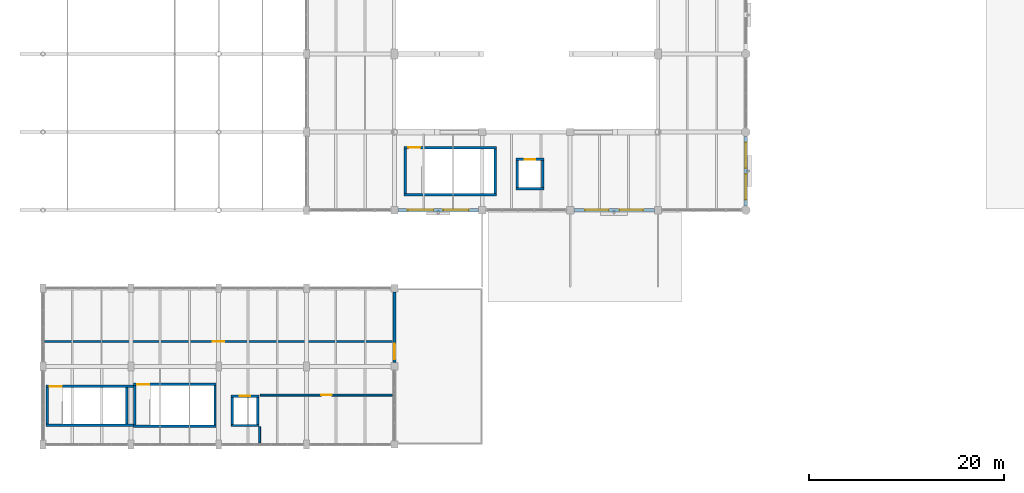
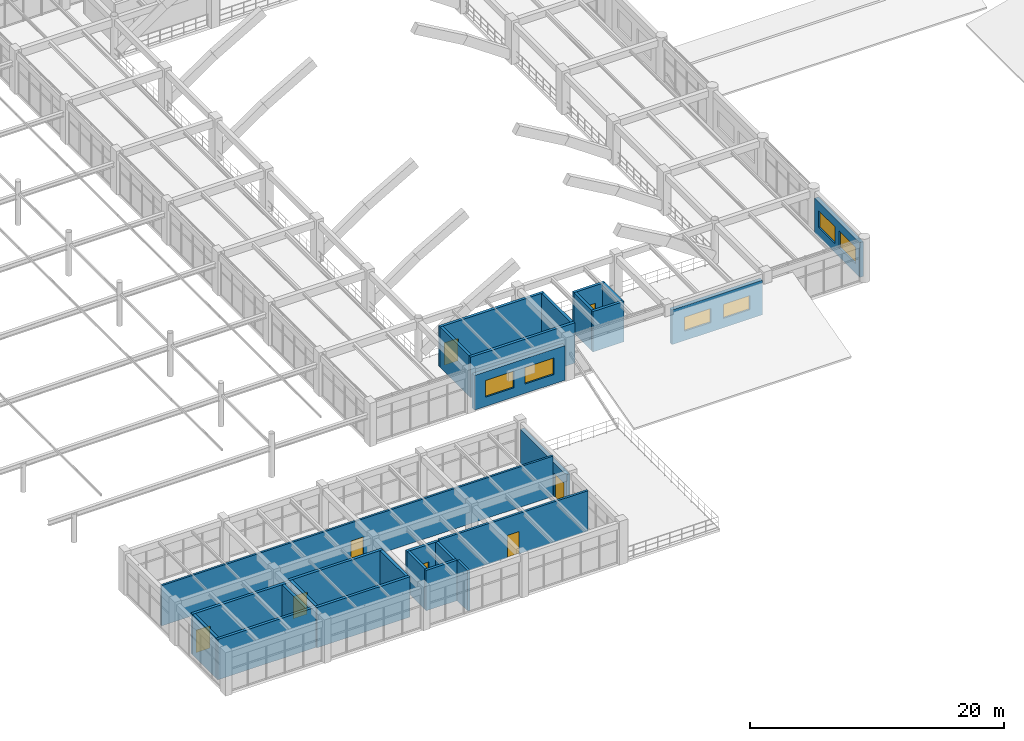
# One storey, part 124 of 148: 27 walls, 8 doors, 6 windows, 14 openings.
"""IFC4 building model written with IfcOpenShell, lengths in metres."""

import ifcopenshell
import ifcopenshell.guid

model = None  # the IFC model being written
_history = None  # IfcOwnerHistory: only IFC2X3 demands one
_inside = {}  # id of a spatial element -> (the spatial element, [elements in it])
_under = {}  # id of a project, library or spatial element -> (it, [spatial elements below it])
_declared = {}  # id of a project -> (the project, [libraries it declares])
_typed = {}  # id of a type object -> (the type object, [elements of that type])
_made_of = {}  # id of a material, layer set ... -> (it, [elements and type objects made of it])


def new_model(schema):
    """Start an empty IFC model of exactly this schema.

    Asked for "IFC4X3", IfcOpenShell would pick the latest addendum, in which some entities
    have other attributes; the version numbers below select the first issue.
    IFC2X3 requires an IfcOwnerHistory on every rooted entity: one is made here for all.
    """
    global model, _history
    if schema == "IFC4X3":
        model = ifcopenshell.file(schema_version=(4, 3, 0, 0))
    else:
        model = ifcopenshell.file(schema=schema)
    _inside.clear()
    _under.clear()
    _declared.clear()
    _typed.clear()
    _made_of.clear()
    _history = None
    if model.schema == "IFC2X3":
        org = make("IfcOrganization", Name="unknown")
        user = make(
            "IfcPersonAndOrganization",
            ThePerson=make("IfcPerson", FamilyName="unknown"),
            TheOrganization=org,
        )
        app = make(
            "IfcApplication",
            ApplicationDeveloper=org,
            Version="unknown",
            ApplicationFullName="unknown",
            ApplicationIdentifier="unknown",
        )
        _history = make(
            "IfcOwnerHistory",
            OwningUser=user,
            OwningApplication=app,
            ChangeAction="ADDED",
            CreationDate=0,
        )
    return model


def make(cls, **values):
    """One entity of the class cls with the attributes given. An attribute that is None is left unset."""
    return model.create_entity(
        cls, **{name: value for name, value in values.items() if value is not None}
    )


def rooted(cls, **values):
    """An entity with a GlobalId (a new one), such as an element, a storey or a relation."""
    return make(cls, GlobalId=ifcopenshell.guid.new(), OwnerHistory=_history, **values)


def si_unit(unit_type, name, prefix=None):
    """IfcSIUnit, for example si_unit("LENGTHUNIT", "METRE", prefix="MILLI")."""
    return make("IfcSIUnit", UnitType=unit_type, Prefix=prefix, Name=name)


def derived_unit(unit_type, elements):
    """IfcDerivedUnit: a product of units, each with its exponent."""
    return make(
        "IfcDerivedUnit",
        Elements=[
            make("IfcDerivedUnitElement", Unit=unit, Exponent=power)
            for unit, power in elements
        ],
        UnitType=unit_type,
    )


def assignment(units):
    """IfcUnitAssignment: the units of a project."""
    return None if units is None else make("IfcUnitAssignment", Units=units)


def point(xyz):
    """IfcCartesianPoint."""
    return None if xyz is None else make("IfcCartesianPoint", Coordinates=xyz)


def direction(xyz):
    """IfcDirection."""
    return None if xyz is None else make("IfcDirection", DirectionRatios=xyz)


def frame(location, z_axis=None, x_axis=None):
    """IfcAxis2Placement3D, a coordinate frame: its origin and axes. An axis left out is left unset."""
    return make(
        "IfcAxis2Placement3D",
        Location=point(location),
        Axis=direction(z_axis),
        RefDirection=direction(x_axis),
    )


def frame_2d(location, x_axis=None):
    """IfcAxis2Placement2D, a coordinate frame in the plane: its origin and x axis."""
    return make(
        "IfcAxis2Placement2D", Location=point(location), RefDirection=direction(x_axis)
    )


def origin():
    """The frame at (0, 0, 0) with its axes left unset."""
    return frame((0.0, 0.0, 0.0))


def place(relative_to, where):
    """IfcLocalPlacement: puts the frame where relative to a parent placement (None: the world)."""
    return make(
        "IfcLocalPlacement", PlacementRelTo=relative_to, RelativePlacement=where
    )


def context(
    kind, dimensions, precision=None, world=None, true_north=None, identifier=None
):
    """IfcGeometricRepresentationContext, for example the 3D "Model" context."""
    return make(
        "IfcGeometricRepresentationContext",
        ContextIdentifier=identifier,
        ContextType=kind,
        CoordinateSpaceDimension=dimensions,
        Precision=precision,
        WorldCoordinateSystem=world,
        TrueNorth=true_north,
    )


def subcontext(parent, identifier, kind, view, scale=None):
    """IfcGeometricRepresentationSubContext, for example "Body" below "Model"."""
    return make(
        "IfcGeometricRepresentationSubContext",
        ContextIdentifier=identifier,
        ContextType=kind,
        ParentContext=parent,
        TargetScale=scale,
        TargetView=view,
    )


def project(units=None, contexts=None):
    """IfcProject with its units and contexts."""
    return rooted(
        "IfcProject",
        Name="project",
        RepresentationContexts=contexts,
        UnitsInContext=assignment(units),
    )


def spatial(cls, under=None, at=None, **own):
    """A site, building, storey or space (cls), placed at a placement, below another one or the project."""
    s = rooted(cls, ObjectPlacement=at, **own)
    if under is not None:
        _under.setdefault(under.id(), (under, []))[1].append(s)
    return s


def profile(cls, at=None, kind="AREA", **sizes):
    """A parametric profile (cls). Its sizes go by their IFC names, for example OverallWidth=200.0."""
    return make(cls, ProfileType=kind, Position=at, **sizes)


def rectangle(**sizes):
    """IfcRectangleProfileDef."""
    return profile("IfcRectangleProfileDef", **sizes)


def extrude(swept, where, along, depth):
    """IfcExtrudedAreaSolid: the profile swept, set in the frame where, extruded along a direction by depth."""
    return make(
        "IfcExtrudedAreaSolid",
        SweptArea=swept,
        Position=where,
        ExtrudedDirection=direction(along),
        Depth=depth,
    )


def shape(context_of_items, identifier, shape_type, items):
    """IfcShapeRepresentation: the items that make up one representation, for example the "Body"."""
    return make(
        "IfcShapeRepresentation",
        ContextOfItems=context_of_items,
        RepresentationIdentifier=identifier,
        RepresentationType=shape_type,
        Items=items,
    )


def material(Name=None, Category=None):
    """IfcMaterial."""
    return make("IfcMaterial", Name=Name, Category=Category)


def layer(
    of_material, thickness, ventilated=None, Name=None, Category=None, Priority=None
):
    """IfcMaterialLayer: one layer of a wall or slab, of a material (None: an air gap)."""
    return make(
        "IfcMaterialLayer",
        Material=of_material,
        LayerThickness=thickness,
        IsVentilated=ventilated,
        Name=Name,
        Category=Category,
        Priority=Priority,
    )


def layer_set(layers, Name=None):
    """IfcMaterialLayerSet."""
    return make("IfcMaterialLayerSet", MaterialLayers=layers, LayerSetName=Name)


def made_of(thing, what):
    """Note that an element or type object is made of a material, layer set ...; save() writes the relation."""
    if what is not None:
        _made_of.setdefault(what.id(), (what, []))[1].append(thing)
    return thing


def type_object(cls, material=None, **own):
    """A type object (cls), such as IfcWallType, which elements share."""
    return made_of(rooted(cls, **own), material)


def element(
    cls,
    number,
    at=None,
    inside=None,
    cuts=None,
    type_object=None,
    material=None,
    context=None,
    identifier="Body",
    shape_type=None,
    held_by="IfcProductDefinitionShape",
    body=None,
    shapes=None,
    **own,
):
    """One element of the class cls, such as IfcWall. Its Tag is "e" and its number.

    at: its placement. inside: the storey or other place that contains it. cuts: it is an
    opening in that element (IfcRelVoidsElement). A single representation is given by context,
    identifier, shape_type and body (its items); several are given by shapes. held_by: the class
    of the entity that holds the representations. save() writes the other relations.
    """
    e = rooted(cls, Tag="e%d" % number, ObjectPlacement=at, **own)
    if body is not None:
        shapes = [shape(context, identifier, shape_type, body)]
    if shapes is not None:
        e.Representation = make(held_by, Representations=shapes)
    if inside is not None:
        _inside.setdefault(inside.id(), (inside, []))[1].append(e)
    if cuts is not None:
        rooted(
            "IfcRelVoidsElement", RelatingBuildingElement=cuts, RelatedOpeningElement=e
        )
    if type_object is not None:
        _typed.setdefault(type_object.id(), (type_object, []))[1].append(e)
    return made_of(e, material)


def fill(opening, filler):
    """IfcRelFillsElement: the door or window that sits in an opening."""
    return rooted(
        "IfcRelFillsElement",
        RelatingOpeningElement=opening,
        RelatedBuildingElement=filler,
    )


def aggregate(whole, parts):
    """IfcRelAggregates: a whole, such as a stair, and the parts it consists of."""
    return rooted("IfcRelAggregates", RelatingObject=whole, RelatedObjects=parts)


def save(model, path):
    """Write the relations noted so far, then the file.

    IfcRelAggregates (storeys below a building ...), IfcRelContainedInSpatialStructure (elements
    in a storey), IfcRelDefinesByType, IfcRelAssociatesMaterial and IfcRelDeclares: one each for
    every whole, place, type object, material and project.
    """
    for whole, parts in _under.values():
        aggregate(whole, parts)
    for where, things in _inside.values():
        rooted(
            "IfcRelContainedInSpatialStructure",
            RelatedElements=things,
            RelatingStructure=where,
        )
    for kind, things in _typed.values():
        rooted("IfcRelDefinesByType", RelatedObjects=things, RelatingType=kind)
    for what, things in _made_of.values():
        rooted("IfcRelAssociatesMaterial", RelatedObjects=things, RelatingMaterial=what)
    for by, libraries in _declared.values():
        rooted("IfcRelDeclares", RelatingContext=by, RelatedDefinitions=libraries)
    model.write(path)


model = new_model("IFC4")

# Units and contexts
model_context = context("Model", 3, precision=1e-05, world=origin(), true_north=direction((0.0, 1.0)))
body_context = subcontext(model_context, "Body", "Model", "MODEL_VIEW")
ifc_project = project(units=[si_unit("LENGTHUNIT", "METRE"), si_unit("AREAUNIT", "SQUARE_METRE"), si_unit("VOLUMEUNIT", "CUBIC_METRE"), si_unit("PLANEANGLEUNIT", "RADIAN"), si_unit("MASSUNIT", "GRAM", prefix="KILO"), derived_unit("THERMALTRANSMITTANCEUNIT", [(si_unit("MASSUNIT", "GRAM", prefix="KILO"), 1), (si_unit("TIMEUNIT", "SECOND"), -3), (si_unit("THERMODYNAMICTEMPERATUREUNIT", "KELVIN"), -1)])], contexts=[model_context])

# Site, building, storey
site_placement = place(None, origin())
site = spatial("IfcSite", under=ifc_project, at=site_placement, CompositionType="ELEMENT")
building_placement = place(site_placement, origin())
building = spatial("IfcBuilding", under=site, at=building_placement, Name="Zhenchuan Archway Interchange", CompositionType="ELEMENT")
storey_placement = place(building_placement, frame((0.0, 0.0, 10.199951171875)))
storey = spatial("IfcBuildingStorey", under=building, at=storey_placement, Name="L02", CompositionType="ELEMENT", Elevation=10.199951171875)

# Wall, opening, door
ifc_material_1 = material(Name="Terracotta Masonry", Category="masonry")
ifc_layer_1 = layer(ifc_material_1, 0.340087890625)
ifc_layer_set_1 = layer_set([ifc_layer_1], Name="Terracotta Masonry")
wall_type_1 = type_object("IfcWallType", Name="EW_TERRA_340", PredefinedType="STANDARD", material=ifc_layer_set_1)
wall_1_placement = place(storey_placement, frame((36.0, 15.626953125, 0.0), z_axis=(0.0, 0.0, 1.0), x_axis=(0.0, -1.0, 0.0)))
wall_1 = element("IfcWall", 1, at=wall_1_placement, inside=storey, type_object=wall_type_1, Name="Exterior wall L02-011", PredefinedType="STANDARD", context=body_context, shape_type="SweptSolid", body=[
    extrude(rectangle(XDim=7.25390625, YDim=0.340087890625, at=frame_2d((3.626953125, 0.0))), origin(), (0.0, 0.0, 1.0), 3.340087890625),
])
opening_1_placement = place(wall_1_placement, frame((5.303955078125, 0.0, 0.0)))
opening_1 = element("IfcOpeningElement", 2, at=opening_1_placement, cuts=wall_1, Name="Opening ED-05", PredefinedType="OPENING", context=body_context, shape_type="SweptSolid", body=[
    extrude(rectangle(XDim=1.60009765625, YDim=2.300048828125, at=frame_2d((0.800048828125, 1.14990234375))), frame((0.0, 0.18212890625, 0.0), z_axis=(0.0, -1.0, 0.0), x_axis=(1.0, 0.0, 0.0)), (0.0, 0.0, 1.0), 0.364013671875),
])
ifc_material_2 = material(Name="Anodised Aluminium", Category="aluminium")
door_type_1 = type_object("IfcDoorType", Name="ED_TERR_1600x2300", OperationType="DOUBLE_DOOR_SINGLE_SWING", PredefinedType="DOOR", material=ifc_material_2)
door_1_placement = place(opening_1_placement, origin())
door_1 = element("IfcDoor", 3, at=door_1_placement, inside=storey, type_object=door_type_1, Name="Exterior entrance door L02-039", OperationType="SINGLE_SWING_LEFT", OverallHeight=2.300048828125, OverallWidth=1.60009765625, PredefinedType="DOOR", context=body_context, shape_type="SweptSolid", body=[
    extrude(rectangle(XDim=1.60009765625, YDim=2.300048828125, at=frame_2d((0.800048828125, 1.14990234375))), frame((0.0, 0.02490234375, 0.0), z_axis=(0.0, -1.0, 0.0), x_axis=(1.0, 0.0, 0.0)), (0.0, 0.0, 1.0), 0.050048828125),
])
fill(opening_1, door_1)

# Wall, openings, windows
wall_2_placement = place(storey_placement, frame((72.0, 31.552978515625, 0.0), z_axis=(0.0, 0.0, 1.0), x_axis=(0.0, -1.0, 0.0)))
wall_2 = element("IfcWall", 4, at=wall_2_placement, inside=storey, type_object=wall_type_1, Name="Exterior wall L02-025", PredefinedType="STANDARD", context=body_context, shape_type="SweptSolid", body=[
    extrude(rectangle(XDim=7.10595703125, YDim=0.340087890625, at=frame_2d((3.552978515625, 0.0))), origin(), (0.0, 0.0, 1.0), 3.340087890625),
])
opening_2_placement = place(wall_2_placement, frame((0.63525390625, 0.0, 0.89990234375)))
opening_2 = element("IfcOpeningElement", 5, at=opening_2_placement, cuts=wall_2, Name="Opening W-09", PredefinedType="OPENING", context=body_context, shape_type="SweptSolid", body=[
    extrude(rectangle(XDim=2.60009765625, YDim=1.60009765625, at=frame_2d((1.300048828125, 0.800048828125))), frame((0.0, 0.18212890625, 0.0), z_axis=(0.0, -1.0, 0.0), x_axis=(1.0, 0.0, 0.0)), (0.0, 0.0, 1.0), 0.364013671875),
])
opening_3_placement = place(wall_2_placement, frame((3.87060546875, 0.0, 0.89990234375)))
opening_3 = element("IfcOpeningElement", 6, at=opening_3_placement, cuts=wall_2, Name="Opening W-09", PredefinedType="OPENING", context=body_context, shape_type="SweptSolid", body=[
    extrude(rectangle(XDim=2.60009765625, YDim=1.60009765625, at=frame_2d((1.300048828125, 0.800048828125))), frame((0.0, 0.18212890625, 0.0), z_axis=(0.0, -1.0, 0.0), x_axis=(1.0, 0.0, 0.0)), (0.0, 0.0, 1.0), 0.364013671875),
])
ifc_material_3 = material(Name="Double Low-E Insulated Glazing", Category="glass")
window_type_1 = type_object("IfcWindowType", Name="WN_MOD_2600x1600", PartitioningType="SINGLE_PANEL", PredefinedType="WINDOW", material=ifc_material_3)
window_1_placement = place(opening_2_placement, origin())
window_1 = element("IfcWindow", 7, at=window_1_placement, inside=storey, type_object=window_type_1, Name="Window L02-0206", OverallHeight=1.60009765625, OverallWidth=2.60009765625, PartitioningType="SINGLE_PANEL", PredefinedType="WINDOW", context=body_context, shape_type="SweptSolid", body=[
    extrude(rectangle(XDim=2.60009765625, YDim=1.60009765625, at=frame_2d((1.300048828125, 0.800048828125))), frame((0.0, 0.030029296875, 0.0), z_axis=(0.0, -1.0, 0.0), x_axis=(1.0, 0.0, 0.0)), (0.0, 0.0, 1.0), 0.06005859375),
])
fill(opening_2, window_1)
window_2_placement = place(opening_3_placement, origin())
window_2 = element("IfcWindow", 8, at=window_2_placement, inside=storey, type_object=window_type_1, Name="Window L02-0207", OverallHeight=1.60009765625, OverallWidth=2.60009765625, PartitioningType="SINGLE_PANEL", PredefinedType="WINDOW", context=body_context, shape_type="SweptSolid", body=[
    extrude(rectangle(XDim=2.60009765625, YDim=1.60009765625, at=frame_2d((1.300048828125, 0.800048828125))), frame((0.0, 0.030029296875, 0.0), z_axis=(0.0, -1.0, 0.0), x_axis=(1.0, 0.0, 0.0)), (0.0, 0.0, 1.0), 0.06005859375),
])
fill(opening_3, window_2)

wall_3_placement = place(storey_placement, frame((62.626953125, 24.0, 0.0), z_axis=(0.0, 0.0, 1.0), x_axis=(-1.0, 0.0, 0.0)))
wall_3 = element("IfcWall", 9, at=wall_3_placement, inside=storey, type_object=wall_type_1, Name="Exterior wall L02-027", PredefinedType="STANDARD", context=body_context, shape_type="SweptSolid", body=[
    extrude(rectangle(XDim=8.25390625, YDim=0.340087890625, at=frame_2d((4.126953125, 0.0))), origin(), (0.0, 0.0, 1.0), 3.340087890625),
])
opening_4_placement = place(wall_3_placement, frame((1.1513671875, 0.0, 0.89990234375)))
opening_4 = element("IfcOpeningElement", 10, at=opening_4_placement, cuts=wall_3, Name="Opening W-11", PredefinedType="OPENING", context=body_context, shape_type="SweptSolid", body=[
    extrude(rectangle(XDim=2.39990234375, YDim=1.35009765625, at=frame_2d((1.199951171875, 0.675048828125))), frame((0.0, 0.18212890625, 0.0), z_axis=(0.0, -1.0, 0.0), x_axis=(1.0, 0.0, 0.0)), (0.0, 0.0, 1.0), 0.364013671875),
])
opening_5_placement = place(wall_3_placement, frame((4.70263671875, 0.0, 0.89990234375)))
opening_5 = element("IfcOpeningElement", 11, at=opening_5_placement, cuts=wall_3, Name="Opening W-11", PredefinedType="OPENING", context=body_context, shape_type="SweptSolid", body=[
    extrude(rectangle(XDim=2.39990234375, YDim=1.35009765625, at=frame_2d((1.199951171875, 0.675048828125))), frame((0.0, 0.18212890625, 0.0), z_axis=(0.0, -1.0, 0.0), x_axis=(1.0, 0.0, 0.0)), (0.0, 0.0, 1.0), 0.364013671875),
])
window_type_2 = type_object("IfcWindowType", Name="WN_CLER_2400x1350", PartitioningType="SINGLE_PANEL", PredefinedType="WINDOW", material=ifc_material_3)
window_3_placement = place(opening_4_placement, origin())
window_3 = element("IfcWindow", 12, at=window_3_placement, inside=storey, type_object=window_type_2, Name="Window L02-0208", OverallHeight=1.35009765625, OverallWidth=2.39990234375, PartitioningType="SINGLE_PANEL", PredefinedType="WINDOW", context=body_context, shape_type="SweptSolid", body=[
    extrude(rectangle(XDim=2.39990234375, YDim=1.35009765625, at=frame_2d((1.199951171875, 0.675048828125))), frame((0.0, 0.030029296875, 0.0), z_axis=(0.0, -1.0, 0.0), x_axis=(1.0, 0.0, 0.0)), (0.0, 0.0, 1.0), 0.06005859375),
])
fill(opening_4, window_3)
window_4_placement = place(opening_5_placement, origin())
window_4 = element("IfcWindow", 13, at=window_4_placement, inside=storey, type_object=window_type_2, Name="Window L02-0209", OverallHeight=1.35009765625, OverallWidth=2.39990234375, PartitioningType="SINGLE_PANEL", PredefinedType="WINDOW", context=body_context, shape_type="SweptSolid", body=[
    extrude(rectangle(XDim=2.39990234375, YDim=1.35009765625, at=frame_2d((1.199951171875, 0.675048828125))), frame((0.0, 0.030029296875, 0.0), z_axis=(0.0, -1.0, 0.0), x_axis=(1.0, 0.0, 0.0)), (0.0, 0.0, 1.0), 0.06005859375),
])
fill(opening_5, window_4)

wall_4_placement = place(storey_placement, frame((44.626953125, 24.0, 0.0), z_axis=(0.0, 0.0, 1.0), x_axis=(-1.0, 0.0, 0.0)))
wall_4 = element("IfcWall", 14, at=wall_4_placement, inside=storey, type_object=wall_type_1, Name="Exterior wall L02-029", PredefinedType="STANDARD", context=body_context, shape_type="SweptSolid", body=[
    extrude(rectangle(XDim=8.25390625, YDim=0.340087890625, at=frame_2d((4.126953125, 0.0))), origin(), (0.0, 0.0, 1.0), 3.340087890625),
])
opening_6_placement = place(wall_4_placement, frame((1.01806640625, 0.0, 0.89990234375)))
opening_6 = element("IfcOpeningElement", 15, at=opening_6_placement, cuts=wall_4, Name="Opening W-09", PredefinedType="OPENING", context=body_context, shape_type="SweptSolid", body=[
    extrude(rectangle(XDim=2.60009765625, YDim=1.60009765625, at=frame_2d((1.300048828125, 0.800048828125))), frame((0.0, 0.18212890625, 0.0), z_axis=(0.0, -1.0, 0.0), x_axis=(1.0, 0.0, 0.0)), (0.0, 0.0, 1.0), 0.364013671875),
])
opening_7_placement = place(wall_4_placement, frame((4.635986328125, 0.0, 0.89990234375)))
opening_7 = element("IfcOpeningElement", 16, at=opening_7_placement, cuts=wall_4, Name="Opening W-09", PredefinedType="OPENING", context=body_context, shape_type="SweptSolid", body=[
    extrude(rectangle(XDim=2.60009765625, YDim=1.60009765625, at=frame_2d((1.300048828125, 0.800048828125))), frame((0.0, 0.18212890625, 0.0), z_axis=(0.0, -1.0, 0.0), x_axis=(1.0, 0.0, 0.0)), (0.0, 0.0, 1.0), 0.364013671875),
])
window_5_placement = place(opening_6_placement, origin())
window_5 = element("IfcWindow", 17, at=window_5_placement, inside=storey, type_object=window_type_1, Name="Window L02-0210", OverallHeight=1.60009765625, OverallWidth=2.60009765625, PartitioningType="SINGLE_PANEL", PredefinedType="WINDOW", context=body_context, shape_type="SweptSolid", body=[
    extrude(rectangle(XDim=2.60009765625, YDim=1.60009765625, at=frame_2d((1.300048828125, 0.800048828125))), frame((0.0, 0.030029296875, 0.0), z_axis=(0.0, -1.0, 0.0), x_axis=(1.0, 0.0, 0.0)), (0.0, 0.0, 1.0), 0.06005859375),
])
fill(opening_6, window_5)
window_6_placement = place(opening_7_placement, origin())
window_6 = element("IfcWindow", 18, at=window_6_placement, inside=storey, type_object=window_type_1, Name="Window L02-0211", OverallHeight=1.60009765625, OverallWidth=2.60009765625, PartitioningType="SINGLE_PANEL", PredefinedType="WINDOW", context=body_context, shape_type="SweptSolid", body=[
    extrude(rectangle(XDim=2.60009765625, YDim=1.60009765625, at=frame_2d((1.300048828125, 0.800048828125))), frame((0.0, 0.030029296875, 0.0), z_axis=(0.0, -1.0, 0.0), x_axis=(1.0, 0.0, 0.0)), (0.0, 0.0, 1.0), 0.06005859375),
])
fill(opening_7, window_6)

# Wall, opening, door
ifc_material_4 = material(Name="Autoclaved Aerated Concrete Block", Category="concrete")
ifc_layer_2 = layer(ifc_material_4, 0.199951171875)
ifc_layer_set_2 = layer_set([ifc_layer_2], Name="Autoclaved Aerated Concrete Block")
wall_type_2 = type_object("IfcWallType", Name="WL_FIRE_200", PredefinedType="STANDARD", material=ifc_layer_set_2)
wall_5_placement = place(storey_placement, frame((22.27001953125, 5.050048828125, 0.0), z_axis=(0.0, 0.0, 1.0), x_axis=(1.0, 0.0, 0.0)))
wall_5 = element("IfcWall", 19, at=wall_5_placement, inside=storey, type_object=wall_type_2, Name="Cycle Fleet Spare Parts Store N partition (L02)", PredefinedType="STANDARD", context=body_context, shape_type="SweptSolid", body=[
    extrude(rectangle(XDim=13.554931640625, YDim=0.199951171875, at=frame_2d((6.77734375, 0.0))), origin(), (0.0, 0.0, 1.0), 3.89013671875),
])
opening_8_placement = place(wall_5_placement, frame((6.239990234375, 0.0, 0.0)))
opening_8 = element("IfcOpeningElement", 20, at=opening_8_placement, cuts=wall_5, Name="Opening FD-03", PredefinedType="OPENING", context=body_context, shape_type="SweptSolid", body=[
    extrude(rectangle(XDim=1.050048828125, YDim=2.14990234375, at=frame_2d((0.52490234375, 1.074951171875))), frame((0.0, 0.11181640625, 0.0), z_axis=(0.0, -1.0, 0.0), x_axis=(1.0, 0.0, 0.0)), (0.0, 0.0, 1.0), 0.223876953125),
])
ifc_material_5 = material(Name="Painted Galvanised Steel", Category="steel")
door_type_2 = type_object("IfcDoorType", Name="DR_PLANT_FD60_S", OperationType="NOTDEFINED", PredefinedType="DOOR", material=ifc_material_5)
door_2_placement = place(opening_8_placement, origin())
door_2 = element("IfcDoor", 21, at=door_2_placement, inside=storey, type_object=door_type_2, Name="Cycle Fleet Spare Parts Store door (L02)", OperationType="SINGLE_SWING_RIGHT", OverallHeight=2.14990234375, OverallWidth=1.050048828125, PredefinedType="DOOR", context=body_context, shape_type="SweptSolid", body=[
    extrude(rectangle(XDim=1.050048828125, YDim=2.14990234375, at=frame_2d((0.52490234375, 1.074951171875))), frame((0.0, 0.02490234375, 0.0), z_axis=(0.0, -1.0, 0.0), x_axis=(1.0, 0.0, 0.0)), (0.0, 0.0, 1.0), 0.050048828125),
])
fill(opening_8, door_2)

# Walls
wall_6_placement = place(storey_placement, frame((22.199951171875, 0.175048828125, 0.0), z_axis=(0.0, 0.0, 1.0), x_axis=(0.0, 1.0, 0.0)))
element("IfcWall", 22, at=wall_6_placement, inside=storey, type_object=wall_type_2, Name="Cycle Fleet Spare Parts Store W partition (L02)", PredefinedType="STANDARD", context=body_context, shape_type="SweptSolid", body=[
    extrude(rectangle(XDim=1.64501953125, YDim=0.199951171875, at=frame_2d((0.822509765625, 0.0))), origin(), (0.0, 0.0, 1.0), 3.89013671875),
])
ifc_material_6 = material(Name="Concrete C40", Category="concrete")
ifc_layer_3 = layer(ifc_material_6, 0.239990234375)
ifc_layer_set_3 = layer_set([ifc_layer_3], Name="Concrete C40")
wall_type_3 = type_object("IfcWallType", Name="WL_LIFT_240", PredefinedType="SHEAR", material=ifc_layer_set_3)
wall_7_placement = place(storey_placement, frame((48.47998046875, 26.199951171875, 0.0), z_axis=(0.0, 0.0, 1.0), x_axis=(1.0, 0.0, 0.0)))
element("IfcWall", 23, at=wall_7_placement, inside=storey, type_object=wall_type_3, Name="Lift LF-01 south shaft wall (L02)", PredefinedType="SHEAR", context=body_context, shape_type="SweptSolid", body=[
    extrude(rectangle(XDim=2.840087890625, YDim=0.239990234375, at=frame_2d((1.419921875, 0.0))), origin(), (0.0, 0.0, 1.0), 3.89013671875),
])

# Wall, opening, door
wall_8_placement = place(storey_placement, frame((51.320068359375, 29.199951171875, 0.0), z_axis=(0.0, 0.0, 1.0), x_axis=(-1.0, 0.0, 0.0)))
wall_8 = element("IfcWall", 24, at=wall_8_placement, inside=storey, type_object=wall_type_3, Name="Lift LF-01 north shaft wall (L02)", PredefinedType="SHEAR", context=body_context, shape_type="SweptSolid", body=[
    extrude(rectangle(XDim=2.840087890625, YDim=0.239990234375, at=frame_2d((1.419921875, 0.0))), origin(), (0.0, 0.0, 1.0), 3.89013671875),
])
opening_9_placement = place(wall_8_placement, frame((0.8701171875, 0.0, 0.0)))
opening_9 = element("IfcOpeningElement", 25, at=opening_9_placement, cuts=wall_8, Name="Opening LD-01", PredefinedType="OPENING", context=body_context, shape_type="SweptSolid", body=[
    extrude(rectangle(XDim=1.10009765625, YDim=2.199951171875, at=frame_2d((0.550048828125, 1.10009765625))), frame((0.0, 0.1318359375, 0.0), z_axis=(0.0, -1.0, 0.0), x_axis=(1.0, 0.0, 0.0)), (0.0, 0.0, 1.0), 0.263916015625),
])
ifc_material_7 = material(Name="Stainless Steel 304", Category="steel")
door_type_3 = type_object("IfcDoorType", Name="DR_LIFT_LD110", OperationType="DOUBLE_DOOR_SLIDING", PredefinedType="DOOR", material=ifc_material_7)
door_3_placement = place(opening_9_placement, origin())
door_3 = element("IfcDoor", 26, at=door_3_placement, inside=storey, type_object=door_type_3, Name="Lift LF-01 landing door (L02)", OperationType="DOUBLE_DOOR_SLIDING", OverallHeight=2.199951171875, OverallWidth=1.10009765625, PredefinedType="DOOR", context=body_context, shape_type="SweptSolid", body=[
    extrude(rectangle(XDim=1.10009765625, YDim=2.199951171875, at=frame_2d((0.550048828125, 1.10009765625))), frame((0.0, 0.02490234375, 0.0), z_axis=(0.0, -1.0, 0.0), x_axis=(1.0, 0.0, 0.0)), (0.0, 0.0, 1.0), 0.050048828125),
])
fill(opening_9, door_3)

# Walls
for number, where, z_axis, x_axis, name in (
    (27, (48.60009765625, 29.080078125, 0.0), (0.0, 0.0, 1.0), (0.0, -1.0, 0.0), "Lift LF-01 west shaft wall (L02)"),
    (28, (51.199951171875, 26.320068359375, 0.0), (0.0, 0.0, 1.0), (0.0, 1.0, 0.0), "Lift LF-01 east shaft wall (L02)"),
):
    element("IfcWall", number, at=place(storey_placement, frame(where, z_axis=z_axis, x_axis=x_axis)), inside=storey, type_object=wall_type_3, Name=name, PredefinedType="SHEAR", context=body_context, shape_type="SweptSolid", body=[
        extrude(rectangle(XDim=2.760009765625, YDim=0.239990234375, at=frame_2d((1.3798828125, 0.0))), origin(), (0.0, 0.0, 1.0), 3.89013671875),
    ])
wall_9_placement = place(storey_placement, frame((19.280029296875, 1.949951171875, 0.0), z_axis=(0.0, 0.0, 1.0), x_axis=(1.0, 0.0, 0.0)))
element("IfcWall", 29, at=wall_9_placement, inside=storey, type_object=wall_type_3, Name="Lift LF-03 south shaft wall (L02)", PredefinedType="SHEAR", context=body_context, shape_type="SweptSolid", body=[
    extrude(rectangle(XDim=2.840087890625, YDim=0.239990234375, at=frame_2d((1.419921875, 0.0))), origin(), (0.0, 0.0, 1.0), 3.89013671875),
])

# Wall, opening, door
wall_10_placement = place(storey_placement, frame((22.1201171875, 4.949951171875, 0.0), z_axis=(0.0, 0.0, 1.0), x_axis=(-1.0, 0.0, 0.0)))
wall_10 = element("IfcWall", 30, at=wall_10_placement, inside=storey, type_object=wall_type_3, Name="Lift LF-03 north shaft wall (L02)", PredefinedType="SHEAR", context=body_context, shape_type="SweptSolid", body=[
    extrude(rectangle(XDim=2.840087890625, YDim=0.239990234375, at=frame_2d((1.419921875, 0.0))), origin(), (0.0, 0.0, 1.0), 3.89013671875),
])
opening_10_placement = place(wall_10_placement, frame((0.8701171875, 0.0, 0.0)))
opening_10 = element("IfcOpeningElement", 31, at=opening_10_placement, cuts=wall_10, Name="Opening LD-01", PredefinedType="OPENING", context=body_context, shape_type="SweptSolid", body=[
    extrude(rectangle(XDim=1.10009765625, YDim=2.199951171875, at=frame_2d((0.550048828125, 1.10009765625))), frame((0.0, 0.1318359375, 0.0), z_axis=(0.0, -1.0, 0.0), x_axis=(1.0, 0.0, 0.0)), (0.0, 0.0, 1.0), 0.263916015625),
])
door_4_placement = place(opening_10_placement, origin())
door_4 = element("IfcDoor", 32, at=door_4_placement, inside=storey, type_object=door_type_3, Name="Lift LF-03 landing door (L02)", OperationType="DOUBLE_DOOR_SLIDING", OverallHeight=2.199951171875, OverallWidth=1.10009765625, PredefinedType="DOOR", context=body_context, shape_type="SweptSolid", body=[
    extrude(rectangle(XDim=1.10009765625, YDim=2.199951171875, at=frame_2d((0.550048828125, 1.10009765625))), frame((0.0, 0.02490234375, 0.0), z_axis=(0.0, -1.0, 0.0), x_axis=(1.0, 0.0, 0.0)), (0.0, 0.0, 1.0), 0.050048828125),
])
fill(opening_10, door_4)

# Walls
for number, where, z_axis, x_axis, name in (
    (33, (19.39990234375, 4.830078125, 0.0), (0.0, 0.0, 1.0), (0.0, -1.0, 0.0), "Lift LF-03 west shaft wall (L02)"),
    (34, (22.0, 2.070068359375, 0.0), (0.0, 0.0, 1.0), (0.0, 1.0, 0.0), "Lift LF-03 east shaft wall (L02)"),
):
    element("IfcWall", number, at=place(storey_placement, frame(where, z_axis=z_axis, x_axis=x_axis)), inside=storey, type_object=wall_type_3, Name=name, PredefinedType="SHEAR", context=body_context, shape_type="SweptSolid", body=[
        extrude(rectangle(XDim=2.760009765625, YDim=0.239990234375, at=frame_2d((1.3798828125, 0.0))), origin(), (0.0, 0.0, 1.0), 3.89013671875),
    ])

# Wall, opening, door
ifc_material_8 = material(Name="Concrete Block Masonry", Category="masonry")
ifc_layer_4 = layer(ifc_material_8, 0.179931640625)
ifc_layer_set_4 = layer_set([ifc_layer_4], Name="Concrete Block Masonry")
wall_type_4 = type_object("IfcWallType", Name="WL_PART_180", PredefinedType="STANDARD", material=ifc_layer_set_4)
wall_11_placement = place(storey_placement, frame((0.175048828125, 10.550048828125, 0.0), z_axis=(0.0, 0.0, 1.0), x_axis=(1.0, 0.0, 0.0)))
wall_11 = element("IfcWall", 35, at=wall_11_placement, inside=storey, type_object=wall_type_4, Name="Cycle Safety and Club Seminar Room S partition (L02)", PredefinedType="STANDARD", context=body_context, shape_type="SweptSolid", body=[
    extrude(rectangle(XDim=35.64990234375, YDim=0.179931640625, at=frame_2d((17.824951171875, 0.0))), origin(), (0.0, 0.0, 1.0), 3.89013671875),
])
opening_11_placement = place(wall_11_placement, frame((17.22509765625, 0.0, 0.0)))
opening_11 = element("IfcOpeningElement", 36, at=opening_11_placement, cuts=wall_11, Name="Opening ID-06", PredefinedType="OPENING", context=body_context, shape_type="SweptSolid", body=[
    extrude(rectangle(XDim=1.14990234375, YDim=2.14990234375, at=frame_2d((0.574951171875, 1.074951171875))), frame((0.0, 0.10205078125, 0.0), z_axis=(0.0, -1.0, 0.0), x_axis=(1.0, 0.0, 0.0)), (0.0, 0.0, 1.0), 0.203857421875),
])
ifc_material_9 = material(Name="Hardwood Timber", Category="wood")
door_type_4 = type_object("IfcDoorType", Name="DR_CTRL_115", OperationType="NOTDEFINED", PredefinedType="DOOR", material=ifc_material_9)
door_5_placement = place(opening_11_placement, origin())
door_5 = element("IfcDoor", 37, at=door_5_placement, inside=storey, type_object=door_type_4, Name="Cycle Safety and Club Seminar Room door (L02)", OperationType="SINGLE_SWING_LEFT", OverallHeight=2.14990234375, OverallWidth=1.14990234375, PredefinedType="DOOR", context=body_context, shape_type="SweptSolid", body=[
    extrude(rectangle(XDim=1.14990234375, YDim=2.14990234375, at=frame_2d((0.574951171875, 1.074951171875))), frame((0.0, 0.02490234375, 0.0), z_axis=(0.0, -1.0, 0.0), x_axis=(1.0, 0.0, 0.0)), (0.0, 0.0, 1.0), 0.050048828125),
])
fill(opening_11, door_5)

# Wall
ifc_layer_5 = layer(ifc_material_6, 0.25)
ifc_layer_set_5 = layer_set([ifc_layer_5], Name="Concrete C40")
wall_type_5 = type_object("IfcWallType", Name="WL_STAIR_250", PredefinedType="SHEAR", material=ifc_layer_set_5)
wall_12_placement = place(storey_placement, frame((36.97509765625, 25.60009765625, 0.0), z_axis=(0.0, 0.0, 1.0), x_axis=(1.0, 0.0, 0.0)))
element("IfcWall", 38, at=wall_12_placement, inside=storey, type_object=wall_type_5, Name="Stair ST-M1 south wall (L02)", PredefinedType="SHEAR", context=body_context, shape_type="SweptSolid", body=[
    extrude(rectangle(XDim=9.5, YDim=0.25, at=frame_2d((4.75, 0.0))), origin(), (0.0, 0.0, 1.0), 3.89013671875),
])

# Wall, opening, door
wall_13_placement = place(storey_placement, frame((46.47509765625, 30.39990234375, 0.0), z_axis=(0.0, 0.0, 1.0), x_axis=(-1.0, 0.0, 0.0)))
wall_13 = element("IfcWall", 39, at=wall_13_placement, inside=storey, type_object=wall_type_5, Name="Stair ST-M1 north wall (L02)", PredefinedType="SHEAR", context=body_context, shape_type="SweptSolid", body=[
    extrude(rectangle(XDim=9.5, YDim=0.25, at=frame_2d((4.75, 0.0))), origin(), (0.0, 0.0, 1.0), 3.89013671875),
])
opening_12_placement = place(wall_13_placement, frame((7.804931640625, 0.0, 0.0)))
opening_12 = element("IfcOpeningElement", 40, at=opening_12_placement, cuts=wall_13, Name="Opening FD-01", PredefinedType="OPENING", context=body_context, shape_type="SweptSolid", body=[
    extrude(rectangle(XDim=1.25, YDim=2.14990234375, at=frame_2d((0.625, 1.074951171875))), frame((0.0, 0.136962890625, 0.0), z_axis=(0.0, -1.0, 0.0), x_axis=(1.0, 0.0, 0.0)), (0.0, 0.0, 1.0), 0.27392578125),
])
door_type_5 = type_object("IfcDoorType", Name="DR_STAIR_FD90", OperationType="NOTDEFINED", PredefinedType="DOOR", material=ifc_material_5)
door_6_placement = place(opening_12_placement, origin())
door_6 = element("IfcDoor", 41, at=door_6_placement, inside=storey, type_object=door_type_5, Name="Stair ST-M1 fire door (L02)", OperationType="SINGLE_SWING_LEFT", OverallHeight=2.14990234375, OverallWidth=1.25, PredefinedType="DOOR", context=body_context, shape_type="SweptSolid", body=[
    extrude(rectangle(XDim=1.25, YDim=2.14990234375, at=frame_2d((0.625, 1.074951171875))), frame((0.0, 0.02490234375, 0.0), z_axis=(0.0, -1.0, 0.0), x_axis=(1.0, 0.0, 0.0)), (0.0, 0.0, 1.0), 0.050048828125),
])
fill(opening_12, door_6)

# Walls
for number, where, z_axis, x_axis, name in (
    (42, (37.10009765625, 30.27490234375, 0.0), (0.0, 0.0, 1.0), (0.0, -1.0, 0.0), "Stair ST-M1 west wall (L02)"),
    (43, (46.35009765625, 25.72509765625, 0.0), (0.0, 0.0, 1.0), (0.0, 1.0, 0.0), "Stair ST-M1 east wall (L02)"),
):
    element("IfcWall", number, at=place(storey_placement, frame(where, z_axis=z_axis, x_axis=x_axis)), inside=storey, type_object=wall_type_5, Name=name, PredefinedType="SHEAR", context=body_context, shape_type="SweptSolid", body=[
        extrude(rectangle(XDim=4.5498046875, YDim=0.25, at=frame_2d((2.27490234375, 0.0))), origin(), (0.0, 0.0, 1.0), 3.89013671875),
    ])
wall_14_placement = place(storey_placement, frame((9.2548828125, 1.85009765625, 0.0), z_axis=(0.0, 0.0, 1.0), x_axis=(1.0, 0.0, 0.0)))
element("IfcWall", 44, at=wall_14_placement, inside=storey, type_object=wall_type_5, Name="Stair ST-C1 south wall (L02)", PredefinedType="SHEAR", context=body_context, shape_type="SweptSolid", body=[
    extrude(rectangle(XDim=8.490234375, YDim=0.25, at=frame_2d((4.2451171875, 0.0))), origin(), (0.0, 0.0, 1.0), 3.89013671875),
])

# Wall, opening, door
wall_15_placement = place(storey_placement, frame((17.7451171875, 6.14990234375, 0.0), z_axis=(0.0, 0.0, 1.0), x_axis=(-1.0, 0.0, 0.0)))
wall_15 = element("IfcWall", 45, at=wall_15_placement, inside=storey, type_object=wall_type_5, Name="Stair ST-C1 north wall (L02)", PredefinedType="SHEAR", context=body_context, shape_type="SweptSolid", body=[
    extrude(rectangle(XDim=8.490234375, YDim=0.25, at=frame_2d((4.2451171875, 0.0))), origin(), (0.0, 0.0, 1.0), 3.89013671875),
])
opening_13_placement = place(wall_15_placement, frame((6.8349609375, 0.0, 0.0)))
opening_13 = element("IfcOpeningElement", 46, at=opening_13_placement, cuts=wall_15, Name="Opening FD-01", PredefinedType="OPENING", context=body_context, shape_type="SweptSolid", body=[
    extrude(rectangle(XDim=1.25, YDim=2.14990234375, at=frame_2d((0.625, 1.074951171875))), frame((0.0, 0.136962890625, 0.0), z_axis=(0.0, -1.0, 0.0), x_axis=(1.0, 0.0, 0.0)), (0.0, 0.0, 1.0), 0.27392578125),
])
door_7_placement = place(opening_13_placement, origin())
door_7 = element("IfcDoor", 47, at=door_7_placement, inside=storey, type_object=door_type_5, Name="Stair ST-C1 fire door (L02)", OperationType="SINGLE_SWING_LEFT", OverallHeight=2.14990234375, OverallWidth=1.25, PredefinedType="DOOR", context=body_context, shape_type="SweptSolid", body=[
    extrude(rectangle(XDim=1.25, YDim=2.14990234375, at=frame_2d((0.625, 1.074951171875))), frame((0.0, 0.02490234375, 0.0), z_axis=(0.0, -1.0, 0.0), x_axis=(1.0, 0.0, 0.0)), (0.0, 0.0, 1.0), 0.050048828125),
])
fill(opening_13, door_7)

# Walls
for number, where, z_axis, x_axis, name in (
    (48, (9.3798828125, 6.02490234375, 0.0), (0.0, 0.0, 1.0), (0.0, -1.0, 0.0), "Stair ST-C1 west wall (L02)"),
    (49, (17.6201171875, 1.97509765625, 0.0), (0.0, 0.0, 1.0), (0.0, 1.0, 0.0), "Stair ST-C1 east wall (L02)"),
):
    element("IfcWall", number, at=place(storey_placement, frame(where, z_axis=z_axis, x_axis=x_axis)), inside=storey, type_object=wall_type_5, Name=name, PredefinedType="SHEAR", context=body_context, shape_type="SweptSolid", body=[
        extrude(rectangle(XDim=4.0498046875, YDim=0.25, at=frame_2d((2.02490234375, 0.0))), origin(), (0.0, 0.0, 1.0), 3.89013671875),
    ])
wall_16_placement = place(storey_placement, frame((0.294921875, 1.949951171875, 0.0), z_axis=(0.0, 0.0, 1.0), x_axis=(1.0, 0.0, 0.0)))
element("IfcWall", 50, at=wall_16_placement, inside=storey, type_object=wall_type_5, Name="Stair ST-C2 south wall (L02)", PredefinedType="SHEAR", context=body_context, shape_type="SweptSolid", body=[
    extrude(rectangle(XDim=8.9599609375, YDim=0.25, at=frame_2d((4.47998046875, 0.0))), origin(), (0.0, 0.0, 1.0), 3.89013671875),
])

# Wall, opening, door
wall_17_placement = place(storey_placement, frame((9.2548828125, 5.949951171875, 0.0), z_axis=(0.0, 0.0, 1.0), x_axis=(-1.0, 0.0, 0.0)))
wall_17 = element("IfcWall", 51, at=wall_17_placement, inside=storey, type_object=wall_type_5, Name="Stair ST-C2 north wall (L02)", PredefinedType="SHEAR", context=body_context, shape_type="SweptSolid", body=[
    extrude(rectangle(XDim=8.9599609375, YDim=0.25, at=frame_2d((4.47998046875, 0.0))), origin(), (0.0, 0.0, 1.0), 3.89013671875),
])
opening_14_placement = place(wall_17_placement, frame((7.304931640625, 0.0, 0.0)))
opening_14 = element("IfcOpeningElement", 52, at=opening_14_placement, cuts=wall_17, Name="Opening FD-01", PredefinedType="OPENING", context=body_context, shape_type="SweptSolid", body=[
    extrude(rectangle(XDim=1.25, YDim=2.14990234375, at=frame_2d((0.625, 1.074951171875))), frame((0.0, 0.136962890625, 0.0), z_axis=(0.0, -1.0, 0.0), x_axis=(1.0, 0.0, 0.0)), (0.0, 0.0, 1.0), 0.27392578125),
])
door_8_placement = place(opening_14_placement, origin())
door_8 = element("IfcDoor", 53, at=door_8_placement, inside=storey, type_object=door_type_5, Name="Stair ST-C2 fire door (L02)", OperationType="SINGLE_SWING_RIGHT", OverallHeight=2.14990234375, OverallWidth=1.25, PredefinedType="DOOR", context=body_context, shape_type="SweptSolid", body=[
    extrude(rectangle(XDim=1.25, YDim=2.14990234375, at=frame_2d((0.625, 1.074951171875))), frame((0.0, 0.02490234375, 0.0), z_axis=(0.0, -1.0, 0.0), x_axis=(1.0, 0.0, 0.0)), (0.0, 0.0, 1.0), 0.050048828125),
])
fill(opening_14, door_8)

# Walls
for number, where, z_axis, x_axis, name in (
    (54, (0.419921875, 5.824951171875, 0.0), (0.0, 0.0, 1.0), (0.0, -1.0, 0.0), "Stair ST-C2 west wall (L02)"),
    (55, (8.580078125, 2.074951171875, 0.0), (0.0, 0.0, 1.0), (0.0, 1.0, 0.0), "Stair ST-C2 east wall (L02)"),
):
    element("IfcWall", number, at=place(storey_placement, frame(where, z_axis=z_axis, x_axis=x_axis)), inside=storey, type_object=wall_type_5, Name=name, PredefinedType="SHEAR", context=body_context, shape_type="SweptSolid", body=[
        extrude(rectangle(XDim=3.75, YDim=0.25, at=frame_2d((1.875, 0.0))), origin(), (0.0, 0.0, 1.0), 3.89013671875),
    ])

save(model, "model.ifc")
